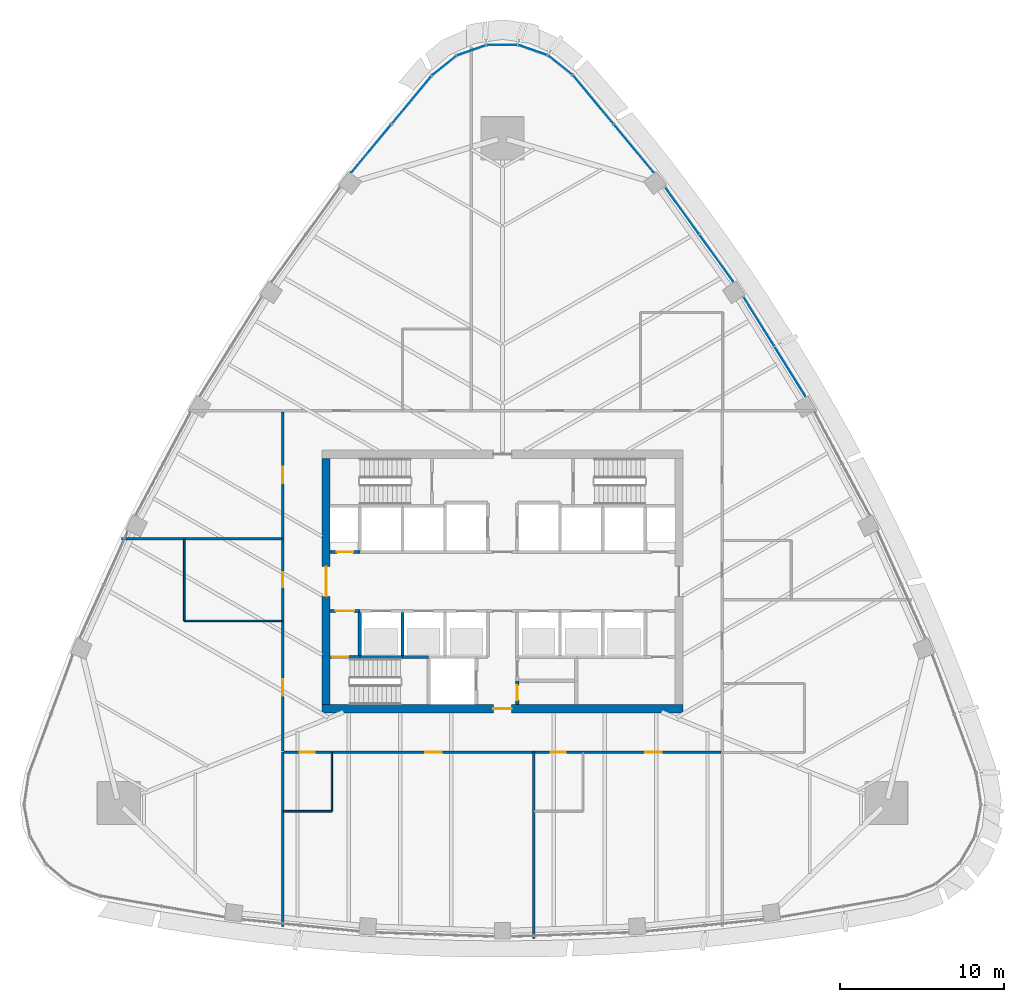
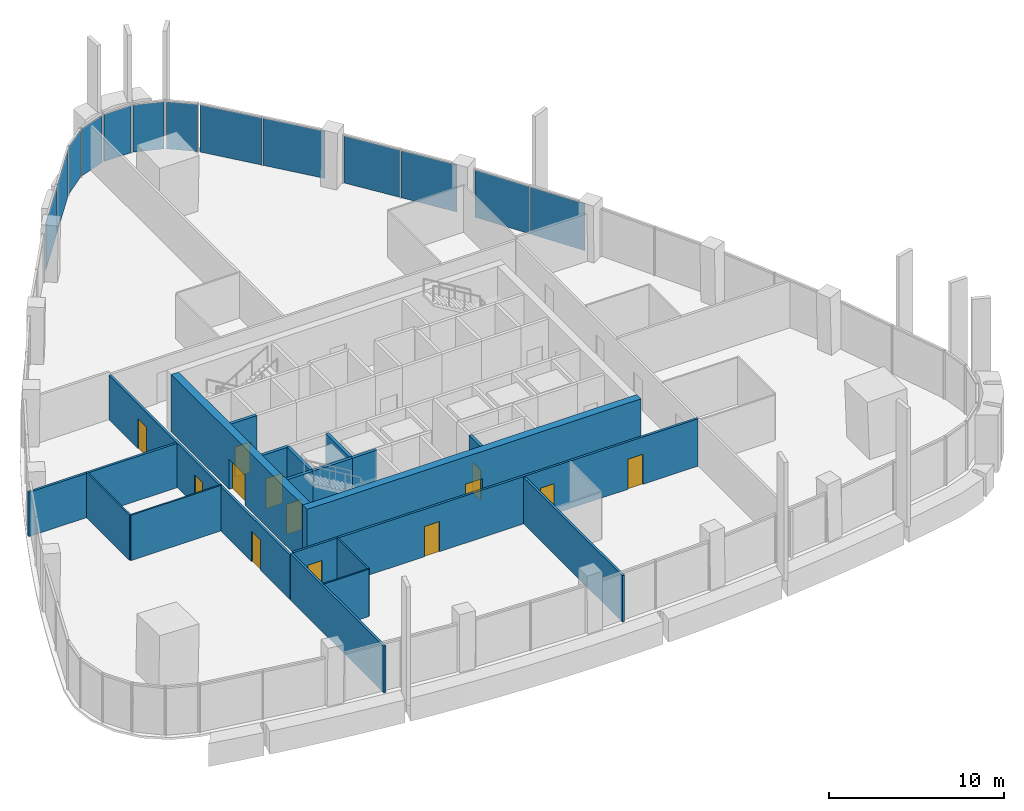
# One storey, part 9 of 19: 19 walls, 13 doors, 13 plates, 13 openings, 9 elements without a shape of their own.
"""IFC4 building model written with IfcOpenShell, lengths in metres."""

import ifcopenshell
import ifcopenshell.guid

model = None  # the IFC model being written
_history = None  # IfcOwnerHistory: only IFC2X3 demands one
_inside = {}  # id of a spatial element -> (the spatial element, [elements in it])
_under = {}  # id of a project, library or spatial element -> (it, [spatial elements below it])
_declared = {}  # id of a project -> (the project, [libraries it declares])
_typed = {}  # id of a type object -> (the type object, [elements of that type])
_made_of = {}  # id of a material, layer set ... -> (it, [elements and type objects made of it])


def new_model(schema):
    """Start an empty IFC model of exactly this schema.

    Asked for "IFC4X3", IfcOpenShell would pick the latest addendum, in which some entities
    have other attributes; the version numbers below select the first issue.
    IFC2X3 requires an IfcOwnerHistory on every rooted entity: one is made here for all.
    """
    global model, _history
    if schema == "IFC4X3":
        model = ifcopenshell.file(schema_version=(4, 3, 0, 0))
    else:
        model = ifcopenshell.file(schema=schema)
    _inside.clear()
    _under.clear()
    _declared.clear()
    _typed.clear()
    _made_of.clear()
    _history = None
    if model.schema == "IFC2X3":
        org = make("IfcOrganization", Name="unknown")
        user = make(
            "IfcPersonAndOrganization",
            ThePerson=make("IfcPerson", FamilyName="unknown"),
            TheOrganization=org,
        )
        app = make(
            "IfcApplication",
            ApplicationDeveloper=org,
            Version="unknown",
            ApplicationFullName="unknown",
            ApplicationIdentifier="unknown",
        )
        _history = make(
            "IfcOwnerHistory",
            OwningUser=user,
            OwningApplication=app,
            ChangeAction="ADDED",
            CreationDate=0,
        )
    return model


def make(cls, **values):
    """One entity of the class cls with the attributes given. An attribute that is None is left unset."""
    return model.create_entity(
        cls, **{name: value for name, value in values.items() if value is not None}
    )


def rooted(cls, **values):
    """An entity with a GlobalId (a new one), such as an element, a storey or a relation."""
    return make(cls, GlobalId=ifcopenshell.guid.new(), OwnerHistory=_history, **values)


def si_unit(unit_type, name, prefix=None):
    """IfcSIUnit, for example si_unit("LENGTHUNIT", "METRE", prefix="MILLI")."""
    return make("IfcSIUnit", UnitType=unit_type, Prefix=prefix, Name=name)


def assignment(units):
    """IfcUnitAssignment: the units of a project."""
    return None if units is None else make("IfcUnitAssignment", Units=units)


def point(xyz):
    """IfcCartesianPoint."""
    return None if xyz is None else make("IfcCartesianPoint", Coordinates=xyz)


def direction(xyz):
    """IfcDirection."""
    return None if xyz is None else make("IfcDirection", DirectionRatios=xyz)


def frame(location, z_axis=None, x_axis=None):
    """IfcAxis2Placement3D, a coordinate frame: its origin and axes. An axis left out is left unset."""
    return make(
        "IfcAxis2Placement3D",
        Location=point(location),
        Axis=direction(z_axis),
        RefDirection=direction(x_axis),
    )


def frame_2d(location, x_axis=None):
    """IfcAxis2Placement2D, a coordinate frame in the plane: its origin and x axis."""
    return make(
        "IfcAxis2Placement2D", Location=point(location), RefDirection=direction(x_axis)
    )


def origin():
    """The frame at (0, 0, 0) with its axes left unset."""
    return frame((0.0, 0.0, 0.0))


def origin_2d():
    """The frame at (0, 0) in the plane with its x axis left unset."""
    return frame_2d((0.0, 0.0))


def place(relative_to, where):
    """IfcLocalPlacement: puts the frame where relative to a parent placement (None: the world)."""
    return make(
        "IfcLocalPlacement", PlacementRelTo=relative_to, RelativePlacement=where
    )


def context(
    kind, dimensions, precision=None, world=None, true_north=None, identifier=None
):
    """IfcGeometricRepresentationContext, for example the 3D "Model" context."""
    return make(
        "IfcGeometricRepresentationContext",
        ContextIdentifier=identifier,
        ContextType=kind,
        CoordinateSpaceDimension=dimensions,
        Precision=precision,
        WorldCoordinateSystem=world,
        TrueNorth=true_north,
    )


def subcontext(parent, identifier, kind, view, scale=None):
    """IfcGeometricRepresentationSubContext, for example "Body" below "Model"."""
    return make(
        "IfcGeometricRepresentationSubContext",
        ContextIdentifier=identifier,
        ContextType=kind,
        ParentContext=parent,
        TargetScale=scale,
        TargetView=view,
    )


def project(units=None, contexts=None):
    """IfcProject with its units and contexts."""
    return rooted(
        "IfcProject",
        Name="project",
        RepresentationContexts=contexts,
        UnitsInContext=assignment(units),
    )


def spatial(cls, under=None, at=None, **own):
    """A site, building, storey or space (cls), placed at a placement, below another one or the project."""
    s = rooted(cls, ObjectPlacement=at, **own)
    if under is not None:
        _under.setdefault(under.id(), (under, []))[1].append(s)
    return s


def profile(cls, at=None, kind="AREA", **sizes):
    """A parametric profile (cls). Its sizes go by their IFC names, for example OverallWidth=200.0."""
    return make(cls, ProfileType=kind, Position=at, **sizes)


def rectangle(**sizes):
    """IfcRectangleProfileDef."""
    return profile("IfcRectangleProfileDef", **sizes)


def extrude(swept, where, along, depth):
    """IfcExtrudedAreaSolid: the profile swept, set in the frame where, extruded along a direction by depth."""
    return make(
        "IfcExtrudedAreaSolid",
        SweptArea=swept,
        Position=where,
        ExtrudedDirection=direction(along),
        Depth=depth,
    )


def shape(context_of_items, identifier, shape_type, items):
    """IfcShapeRepresentation: the items that make up one representation, for example the "Body"."""
    return make(
        "IfcShapeRepresentation",
        ContextOfItems=context_of_items,
        RepresentationIdentifier=identifier,
        RepresentationType=shape_type,
        Items=items,
    )


def material(Name=None, Category=None):
    """IfcMaterial."""
    return make("IfcMaterial", Name=Name, Category=Category)


def layer(
    of_material, thickness, ventilated=None, Name=None, Category=None, Priority=None
):
    """IfcMaterialLayer: one layer of a wall or slab, of a material (None: an air gap)."""
    return make(
        "IfcMaterialLayer",
        Material=of_material,
        LayerThickness=thickness,
        IsVentilated=ventilated,
        Name=Name,
        Category=Category,
        Priority=Priority,
    )


def layer_set(layers, Name=None):
    """IfcMaterialLayerSet."""
    return make("IfcMaterialLayerSet", MaterialLayers=layers, LayerSetName=Name)


def made_of(thing, what):
    """Note that an element or type object is made of a material, layer set ...; save() writes the relation."""
    if what is not None:
        _made_of.setdefault(what.id(), (what, []))[1].append(thing)
    return thing


def type_object(cls, material=None, **own):
    """A type object (cls), such as IfcWallType, which elements share."""
    return made_of(rooted(cls, **own), material)


def element(
    cls,
    number,
    at=None,
    inside=None,
    cuts=None,
    type_object=None,
    material=None,
    context=None,
    identifier="Body",
    shape_type=None,
    held_by="IfcProductDefinitionShape",
    body=None,
    shapes=None,
    **own,
):
    """One element of the class cls, such as IfcWall. Its Tag is "e" and its number.

    at: its placement. inside: the storey or other place that contains it. cuts: it is an
    opening in that element (IfcRelVoidsElement). A single representation is given by context,
    identifier, shape_type and body (its items); several are given by shapes. held_by: the class
    of the entity that holds the representations. save() writes the other relations.
    """
    e = rooted(cls, Tag="e%d" % number, ObjectPlacement=at, **own)
    if body is not None:
        shapes = [shape(context, identifier, shape_type, body)]
    if shapes is not None:
        e.Representation = make(held_by, Representations=shapes)
    if inside is not None:
        _inside.setdefault(inside.id(), (inside, []))[1].append(e)
    if cuts is not None:
        rooted(
            "IfcRelVoidsElement", RelatingBuildingElement=cuts, RelatedOpeningElement=e
        )
    if type_object is not None:
        _typed.setdefault(type_object.id(), (type_object, []))[1].append(e)
    return made_of(e, material)


def fill(opening, filler):
    """IfcRelFillsElement: the door or window that sits in an opening."""
    return rooted(
        "IfcRelFillsElement",
        RelatingOpeningElement=opening,
        RelatedBuildingElement=filler,
    )


def aggregate(whole, parts):
    """IfcRelAggregates: a whole, such as a stair, and the parts it consists of."""
    return rooted("IfcRelAggregates", RelatingObject=whole, RelatedObjects=parts)


def save(model, path):
    """Write the relations noted so far, then the file.

    IfcRelAggregates (storeys below a building ...), IfcRelContainedInSpatialStructure (elements
    in a storey), IfcRelDefinesByType, IfcRelAssociatesMaterial and IfcRelDeclares: one each for
    every whole, place, type object, material and project.
    """
    for whole, parts in _under.values():
        aggregate(whole, parts)
    for where, things in _inside.values():
        rooted(
            "IfcRelContainedInSpatialStructure",
            RelatedElements=things,
            RelatingStructure=where,
        )
    for kind, things in _typed.values():
        rooted("IfcRelDefinesByType", RelatedObjects=things, RelatingType=kind)
    for what, things in _made_of.values():
        rooted("IfcRelAssociatesMaterial", RelatedObjects=things, RelatingMaterial=what)
    for by, libraries in _declared.values():
        rooted("IfcRelDeclares", RelatingContext=by, RelatedDefinitions=libraries)
    model.write(path)


model = new_model("IFC4")

# Units and contexts
model_context = context("Model", 3, precision=1e-05, world=origin(), true_north=direction((0.0, 1.0)))
body_context = subcontext(model_context, "Body", "Model", "MODEL_VIEW")
ifc_project = project(units=[si_unit("LENGTHUNIT", "METRE"), si_unit("AREAUNIT", "SQUARE_METRE"), si_unit("VOLUMEUNIT", "CUBIC_METRE"), si_unit("PLANEANGLEUNIT", "RADIAN"), si_unit("MASSUNIT", "GRAM", prefix="KILO")], contexts=[model_context])

# Site, building, storey
site_placement = place(None, origin())
site = spatial("IfcSite", under=ifc_project, at=site_placement, CompositionType="ELEMENT")
building_placement = place(site_placement, origin())
building = spatial("IfcBuilding", under=site, at=building_placement, Name="Sierra Prisma Convention Tower", CompositionType="ELEMENT")
storey_placement = place(building_placement, frame((0.0, 0.0, 185.800048828125)))
storey = spatial("IfcBuildingStorey", under=building, at=storey_placement, Name="L41", CompositionType="ELEMENT", Elevation=185.800048828125)

# Curtain wall, plates
ifc_material_1 = material(Name="Aluminium and glass curtain wall", Category="aluminium")
ifc_layer_1 = layer(ifc_material_1, 0.179931640625)
ifc_layer_set_1 = layer_set([ifc_layer_1], Name="CW-1 Plain shaft curtain wall")
curtain_wall_type = type_object("IfcCurtainWallType", Name="CW-1 Plain shaft curtain wall", PredefinedType="NOTDEFINED", material=ifc_layer_set_1)
curtain_wall_1_placement = place(storey_placement, origin())
curtain_wall_1 = element("IfcCurtainWall", 1, at=curtain_wall_1_placement, inside=storey, type_object=curtain_wall_type, Name="CW-1 NE4 L41", PredefinedType="NOTDEFINED")
ifc_material_2 = material(Name="Tinted glass bronze-grey IGU", Category="glass")
ifc_layer_2 = layer(ifc_material_2, 0.028076171875)
ifc_layer_set_2 = layer_set([ifc_layer_2], Name="CW-1 glass panel")
plate_type = type_object("IfcPlateType", Name="CW-1 glass panel", PredefinedType="CURTAIN_PANEL", material=ifc_layer_set_2)
plate_1_placement = place(storey_placement, frame((17.519287109375, 12.798583984375, 0.0), z_axis=(0.0, 0.0, 1.0), x_axis=(-0.529000473155, 0.848621528952, 0.0)))
plate_1 = element("IfcPlate", 2, at=plate_1_placement, type_object=plate_type, Name="CW-1 panel NE4.1", PredefinedType="CURTAIN_PANEL", context=body_context, shape_type="SweptSolid", body=[
    extrude(rectangle(XDim=3.51123046875, YDim=0.028076171875, at=origin_2d()), origin(), (0.0, 0.0, 1.0), 3.280029296875),
])
plate_2_placement = place(storey_placement, frame((15.624755859375, 15.837890625, 0.0), z_axis=(0.0, 0.0, 1.0), x_axis=(-0.529000473155, 0.848621528952, 0.0)))
plate_2 = element("IfcPlate", 3, at=plate_2_placement, type_object=plate_type, Name="CW-1 panel NE4.2", PredefinedType="CURTAIN_PANEL", context=body_context, shape_type="SweptSolid", body=[
    extrude(rectangle(XDim=3.51123046875, YDim=0.028076171875, at=origin_2d()), origin(), (0.0, 0.0, 1.0), 3.280029296875),
])
aggregate(curtain_wall_1, [plate_1, plate_2])

curtain_wall_2_placement = place(storey_placement, origin())
curtain_wall_2 = element("IfcCurtainWall", 4, at=curtain_wall_2_placement, inside=storey, type_object=curtain_wall_type, Name="CW-1 NE5 L41", PredefinedType="NOTDEFINED")
plate_3_placement = place(storey_placement, frame((13.031494140625, 19.701416015625, 0.0), z_axis=(0.0, 0.0, 1.0), x_axis=(-0.585153531089, 0.810922527159, 0.0)))
plate_3 = element("IfcPlate", 5, at=plate_3_placement, type_object=plate_type, Name="CW-1 panel NE5.1", PredefinedType="CURTAIN_PANEL", context=body_context, shape_type="SweptSolid", body=[
    extrude(rectangle(XDim=3.49609375, YDim=0.028076171875, at=origin_2d()), origin(), (0.0, 0.0, 1.0), 3.280029296875),
])
plate_4_placement = place(storey_placement, frame((10.94482421875, 22.59326171875, 0.0), z_axis=(0.0, 0.0, 1.0), x_axis=(-0.585153531089, 0.810922527159, 0.0)))
plate_4 = element("IfcPlate", 6, at=plate_4_placement, type_object=plate_type, Name="CW-1 panel NE5.2", PredefinedType="CURTAIN_PANEL", context=body_context, shape_type="SweptSolid", body=[
    extrude(rectangle(XDim=3.49609375, YDim=0.028076171875, at=origin_2d()), origin(), (0.0, 0.0, 1.0), 3.280029296875),
])
aggregate(curtain_wall_2, [plate_3, plate_4])

curtain_wall_3_placement = place(storey_placement, origin())
curtain_wall_3 = element("IfcCurtainWall", 7, at=curtain_wall_3_placement, inside=storey, type_object=curtain_wall_type, Name="CW-1 NE6 L41", PredefinedType="NOTDEFINED")
plate_5_placement = place(storey_placement, frame((7.996337890625, 26.39599609375, 0.0), z_axis=(0.0, 0.0, 1.0), x_axis=(-0.638629874031, 0.769514057048, 0.0)))
plate_5 = element("IfcPlate", 8, at=plate_5_placement, type_object=plate_type, Name="CW-1 panel NE6.1", PredefinedType="CURTAIN_PANEL", context=body_context, shape_type="SweptSolid", body=[
    extrude(rectangle(XDim=3.767333984375, YDim=0.028076171875, at=origin_2d()), origin(), (0.0, 0.0, 1.0), 3.280029296875),
])
plate_6_placement = place(storey_placement, frame((5.545654296875, 29.348876953125, 0.0), z_axis=(0.0, 0.0, 1.0), x_axis=(-0.638629874031, 0.769514057048, 0.0)))
plate_6 = element("IfcPlate", 9, at=plate_6_placement, type_object=plate_type, Name="CW-1 panel NE6.2", PredefinedType="CURTAIN_PANEL", context=body_context, shape_type="SweptSolid", body=[
    extrude(rectangle(XDim=3.767333984375, YDim=0.028076171875, at=origin_2d()), origin(), (0.0, 0.0, 1.0), 3.280029296875),
])
aggregate(curtain_wall_3, [plate_5, plate_6])

# Curtain wall, plate
curtain_wall_4_placement = place(storey_placement, origin())
curtain_wall_4 = element("IfcCurtainWall", 10, at=curtain_wall_4_placement, inside=storey, type_object=curtain_wall_type, Name="CW-1 N1 L41", PredefinedType="NOTDEFINED")
plate_7_placement = place(storey_placement, frame((3.5439453125, 31.456298828125, 0.0), z_axis=(0.0, 0.0, 1.0), x_axis=(-0.780453751234, 0.625213517277, 0.0)))
plate_7 = element("IfcPlate", 11, at=plate_7_placement, type_object=plate_type, Name="CW-1 panel N1.1", PredefinedType="CURTAIN_PANEL", context=body_context, shape_type="SweptSolid", body=[
    extrude(rectangle(XDim=1.79248046875, YDim=0.028076171875, at=origin_2d()), origin(), (0.0, 0.0, 1.0), 3.280029296875),
])
aggregate(curtain_wall_4, [plate_7])

curtain_wall_5_placement = place(storey_placement, origin())
curtain_wall_5 = element("IfcCurtainWall", 12, at=curtain_wall_5_placement, inside=storey, type_object=curtain_wall_type, Name="CW-1 N2 L41", PredefinedType="NOTDEFINED")
plate_8_placement = place(storey_placement, frame((1.8779296875, 32.380615234375, 0.0), z_axis=(0.0, 0.0, 1.0), x_axis=(-0.94351834938, 0.331320274633, 0.0)))
plate_8 = element("IfcPlate", 13, at=plate_8_placement, type_object=plate_type, Name="CW-1 panel N2.1", PredefinedType="CURTAIN_PANEL", context=body_context, shape_type="SweptSolid", body=[
    extrude(rectangle(XDim=1.79248046875, YDim=0.028076171875, at=origin_2d()), origin(), (0.0, 0.0, 1.0), 3.280029296875),
])
aggregate(curtain_wall_5, [plate_8])

curtain_wall_6_placement = place(storey_placement, origin())
curtain_wall_6 = element("IfcCurtainWall", 14, at=curtain_wall_6_placement, inside=storey, type_object=curtain_wall_type, Name="CW-1 N3 L41", PredefinedType="NOTDEFINED")
plate_9_placement = place(storey_placement, frame((0.0, 32.700927734375, 0.0), z_axis=(0.0, 0.0, 1.0), x_axis=(-1.0, 0.0, 0.0)))
plate_9 = element("IfcPlate", 15, at=plate_9_placement, type_object=plate_type, Name="CW-1 panel N3.1", PredefinedType="CURTAIN_PANEL", context=body_context, shape_type="SweptSolid", body=[
    extrude(rectangle(XDim=1.79248046875, YDim=0.028076171875, at=origin_2d()), origin(), (0.0, 0.0, 1.0), 3.280029296875),
])
aggregate(curtain_wall_6, [plate_9])

curtain_wall_7_placement = place(storey_placement, origin())
curtain_wall_7 = element("IfcCurtainWall", 16, at=curtain_wall_7_placement, inside=storey, type_object=curtain_wall_type, Name="CW-1 N4 L41", PredefinedType="NOTDEFINED")
plate_10_placement = place(storey_placement, frame((-1.8779296875, 32.380615234375, 0.0), z_axis=(0.0, 0.0, 1.0), x_axis=(-0.94351834938, -0.331320274633, 0.0)))
plate_10 = element("IfcPlate", 17, at=plate_10_placement, type_object=plate_type, Name="CW-1 panel N4.1", PredefinedType="CURTAIN_PANEL", context=body_context, shape_type="SweptSolid", body=[
    extrude(rectangle(XDim=1.79248046875, YDim=0.028076171875, at=origin_2d()), origin(), (0.0, 0.0, 1.0), 3.280029296875),
])
aggregate(curtain_wall_7, [plate_10])

curtain_wall_8_placement = place(storey_placement, origin())
curtain_wall_8 = element("IfcCurtainWall", 18, at=curtain_wall_8_placement, inside=storey, type_object=curtain_wall_type, Name="CW-1 N5 L41", PredefinedType="NOTDEFINED")
plate_11_placement = place(storey_placement, frame((-3.5439453125, 31.456298828125, 0.0), z_axis=(0.0, 0.0, 1.0), x_axis=(-0.780453751234, -0.625213517277, 0.0)))
plate_11 = element("IfcPlate", 19, at=plate_11_placement, type_object=plate_type, Name="CW-1 panel N5.1", PredefinedType="CURTAIN_PANEL", context=body_context, shape_type="SweptSolid", body=[
    extrude(rectangle(XDim=1.79248046875, YDim=0.028076171875, at=origin_2d()), origin(), (0.0, 0.0, 1.0), 3.280029296875),
])
aggregate(curtain_wall_8, [plate_11])

# Curtain wall, plates
curtain_wall_9_placement = place(storey_placement, origin())
curtain_wall_9 = element("IfcCurtainWall", 20, at=curtain_wall_9_placement, inside=storey, type_object=curtain_wall_type, Name="CW-1 NW1 L41", PredefinedType="NOTDEFINED")
plate_12_placement = place(storey_placement, frame((-5.545654296875, 29.348876953125, 0.0), z_axis=(0.0, 0.0, 1.0), x_axis=(-0.638629874031, -0.769514057048, 0.0)))
plate_12 = element("IfcPlate", 21, at=plate_12_placement, type_object=plate_type, Name="CW-1 panel NW1.1", PredefinedType="CURTAIN_PANEL", context=body_context, shape_type="SweptSolid", body=[
    extrude(rectangle(XDim=3.767333984375, YDim=0.028076171875, at=origin_2d()), origin(), (0.0, 0.0, 1.0), 3.280029296875),
])
plate_13_placement = place(storey_placement, frame((-7.996337890625, 26.39599609375, 0.0), z_axis=(0.0, 0.0, 1.0), x_axis=(-0.638629874031, -0.769514057048, 0.0)))
plate_13 = element("IfcPlate", 22, at=plate_13_placement, type_object=plate_type, Name="CW-1 panel NW1.2", PredefinedType="CURTAIN_PANEL", context=body_context, shape_type="SweptSolid", body=[
    extrude(rectangle(XDim=3.767333984375, YDim=0.028076171875, at=origin_2d()), origin(), (0.0, 0.0, 1.0), 3.280029296875),
])
aggregate(curtain_wall_9, [plate_12, plate_13])

# Walls
ifc_material_3 = material(Name="Gypsum board partition", Category="gypsum")
ifc_layer_3 = layer(ifc_material_3, 0.10009765625)
ifc_layer_set_3 = layer_set([ifc_layer_3], Name="Bathroom partition 100")
wall_type_1 = type_object("IfcWallType", Name="Bathroom partition 100", PredefinedType="PARTITIONING", material=ifc_layer_set_3)
wall_1_placement = place(storey_placement, frame((-13.429931640625, -2.39990234375, 0.0), z_axis=(0.0, 0.0, 1.0), x_axis=(-1.0, 0.0, 0.0)))
element("IfcWall", 23, at=wall_1_placement, inside=storey, type_object=wall_type_1, Name="Partition L41 bath 1", PredefinedType="PARTITIONING", context=body_context, shape_type="SweptSolid", body=[
    extrude(rectangle(XDim=5.969970703125, YDim=0.10009765625, at=frame_2d((2.98486328125, 0.0))), origin(), (0.0, 0.0, 1.0), 3.1669921875),
])
wall_2_placement = place(storey_placement, frame((-19.39990234375, -2.39990234375, 0.0), z_axis=(0.0, 0.0, 1.0), x_axis=(0.0, 1.0, 0.0)))
element("IfcWall", 24, at=wall_2_placement, inside=storey, type_object=wall_type_1, Name="Partition L41 bath 2", PredefinedType="PARTITIONING", context=body_context, shape_type="SweptSolid", body=[
    extrude(rectangle(XDim=4.969970703125, YDim=0.10009765625, at=frame_2d((2.48486328125, 0.0))), origin(), (0.0, 0.0, 1.0), 3.1669921875),
])
wall_3_placement = place(storey_placement, frame((-10.39990234375, -10.429931640625, 0.0), z_axis=(0.0, 0.0, 1.0), x_axis=(0.0, -1.0, 0.0)))
element("IfcWall", 25, at=wall_3_placement, inside=storey, type_object=wall_type_1, Name="Partition L41 bath 3", PredefinedType="PARTITIONING", context=body_context, shape_type="SweptSolid", body=[
    extrude(rectangle(XDim=3.570068359375, YDim=0.10009765625, at=frame_2d((1.78515625, 0.0))), origin(), (0.0, 0.0, 1.0), 3.300048828125),
])
wall_4_placement = place(storey_placement, frame((-10.39990234375, -14.0, 0.0), z_axis=(0.0, 0.0, 1.0), x_axis=(-1.0, 0.0, 0.0)))
element("IfcWall", 26, at=wall_4_placement, inside=storey, type_object=wall_type_1, Name="Partition L41 bath 4", PredefinedType="PARTITIONING", context=body_context, shape_type="SweptSolid", body=[
    extrude(rectangle(XDim=2.97021484375, YDim=0.10009765625, at=frame_2d((1.485107421875, 0.0))), origin(), (0.0, 0.0, 1.0), 3.300048828125),
])

# Wall, opening, door
ifc_material_4 = material(Name="Concrete C30/37", Category="concrete")
ifc_layer_4 = layer(ifc_material_4, 0.199951171875)
ifc_layer_set_4 = layer_set([ifc_layer_4], Name="Core wall RC 200 C30/37")
wall_type_2 = type_object("IfcWallType", Name="Core wall RC 200 C30/37", PredefinedType="SOLIDWALL", material=ifc_layer_set_4)
wall_5_placement = place(storey_placement, frame((-10.5, -4.60009765625, 0.0), z_axis=(0.0, 0.0, 1.0), x_axis=(1.0, 0.0, 0.0)))
wall_5 = element("IfcWall", 27, at=wall_5_placement, inside=storey, type_object=wall_type_2, Name="Core wall L41 1", PredefinedType="SOLIDWALL", context=body_context, shape_type="SweptSolid", body=[
    extrude(rectangle(XDim=1.800048828125, YDim=0.199951171875, at=frame_2d((0.89990234375, 0.0))), origin(), (0.0, 0.0, 1.0), 3.849853515625),
])
opening_1_placement = place(wall_5_placement, frame((0.10009765625, 0.0, 0.0)))
opening_1 = element("IfcOpeningElement", 28, at=opening_1_placement, cuts=wall_5, Name="Opening L41-D015", PredefinedType="OPENING", context=body_context, shape_type="SweptSolid", body=[
    extrude(rectangle(XDim=1.0, YDim=2.10009765625, at=frame_2d((0.5, 1.050048828125))), frame((0.0, 0.10009765625, 0.0), z_axis=(0.0, -1.0, 0.0), x_axis=(1.0, 0.0, 0.0)), (0.0, 0.0, 1.0), 0.199951171875),
])
ifc_material_5 = material(Name="Steel fire door leaf", Category="steel")
door_type_1 = type_object("IfcDoorType", Name="Door 1000x2100 FD90S", OperationType="SINGLE_SWING_LEFT", PredefinedType="DOOR", material=ifc_material_5)
door_1_placement = place(opening_1_placement, origin())
door_1 = element("IfcDoor", 29, at=door_1_placement, inside=storey, type_object=door_type_1, Name="Door L41 30", OperationType="SINGLE_SWING_LEFT", OverallHeight=2.10009765625, OverallWidth=1.0, PredefinedType="DOOR", context=body_context, shape_type="SweptSolid", body=[
    extrude(rectangle(XDim=1.0, YDim=2.10009765625, at=frame_2d((0.5, 1.050048828125))), frame((0.0, 0.02490234375, 0.0), z_axis=(0.0, -1.0, 0.0), x_axis=(1.0, 0.0, 0.0)), (0.0, 0.0, 1.0), 0.050048828125),
])
fill(opening_1, door_1)

wall_6_placement = place(storey_placement, frame((-10.5, -1.800048828125, 0.0), z_axis=(0.0, 0.0, 1.0), x_axis=(1.0, 0.0, 0.0)))
wall_6 = element("IfcWall", 30, at=wall_6_placement, inside=storey, type_object=wall_type_2, Name="Core wall L41 2", PredefinedType="SOLIDWALL", context=body_context, shape_type="SweptSolid", body=[
    extrude(rectangle(XDim=1.800048828125, YDim=0.199951171875, at=frame_2d((0.89990234375, 0.0))), origin(), (0.0, 0.0, 1.0), 3.849853515625),
])
opening_2_placement = place(wall_6_placement, frame((0.35009765625, 0.0, 0.0)))
opening_2 = element("IfcOpeningElement", 31, at=opening_2_placement, cuts=wall_6, Name="Opening L41-D010", PredefinedType="OPENING", context=body_context, shape_type="SweptSolid", body=[
    extrude(rectangle(XDim=1.10009765625, YDim=2.10009765625, at=frame_2d((0.550048828125, 1.050048828125))), frame((0.0, 0.10009765625, 0.0), z_axis=(0.0, -1.0, 0.0), x_axis=(1.0, 0.0, 0.0)), (0.0, 0.0, 1.0), 0.199951171875),
])
ifc_material_6 = material(Name="Steel fire door leaf", Category="steel")
door_type_2 = type_object("IfcDoorType", Name="Door 1100x2100 FD90S", OperationType="SINGLE_SWING_LEFT", PredefinedType="DOOR", material=ifc_material_6)
door_2_placement = place(opening_2_placement, origin())
door_2 = element("IfcDoor", 32, at=door_2_placement, inside=storey, type_object=door_type_2, Name="Door L41 25", OperationType="SINGLE_SWING_LEFT", OverallHeight=2.10009765625, OverallWidth=1.10009765625, PredefinedType="DOOR", context=body_context, shape_type="SweptSolid", body=[
    extrude(rectangle(XDim=1.10009765625, YDim=2.10009765625, at=frame_2d((0.550048828125, 1.050048828125))), frame((0.0, 0.02490234375, 0.0), z_axis=(0.0, -1.0, 0.0), x_axis=(1.0, 0.0, 0.0)), (0.0, 0.0, 1.0), 0.050048828125),
])
fill(opening_2, door_2)

wall_7_placement = place(storey_placement, frame((-8.699951171875, 1.800048828125, 0.0), z_axis=(0.0, 0.0, 1.0), x_axis=(-1.0, 0.0, 0.0)))
wall_7 = element("IfcWall", 33, at=wall_7_placement, inside=storey, type_object=wall_type_2, Name="Core wall L41 3", PredefinedType="SOLIDWALL", context=body_context, shape_type="SweptSolid", body=[
    extrude(rectangle(XDim=1.800048828125, YDim=0.199951171875, at=frame_2d((0.89990234375, 0.0))), origin(), (0.0, 0.0, 1.0), 3.849853515625),
])
opening_3_placement = place(wall_7_placement, frame((0.39990234375, 0.0, 0.0)))
opening_3 = element("IfcOpeningElement", 34, at=opening_3_placement, cuts=wall_7, Name="Opening L41-D013", PredefinedType="OPENING", context=body_context, shape_type="SweptSolid", body=[
    extrude(rectangle(XDim=1.0, YDim=2.10009765625, at=frame_2d((0.5, 1.050048828125))), frame((0.0, 0.10009765625, 0.0), z_axis=(0.0, -1.0, 0.0), x_axis=(1.0, 0.0, 0.0)), (0.0, 0.0, 1.0), 0.199951171875),
])
ifc_material_7 = material(Name="Steel fire door leaf", Category="steel")
door_type_3 = type_object("IfcDoorType", Name="Door 1000x2100 FD60S", OperationType="SINGLE_SWING_LEFT", PredefinedType="DOOR", material=ifc_material_7)
door_3_placement = place(opening_3_placement, origin())
door_3 = element("IfcDoor", 35, at=door_3_placement, inside=storey, type_object=door_type_3, Name="Door L41 28", OperationType="SINGLE_SWING_RIGHT", OverallHeight=2.10009765625, OverallWidth=1.0, PredefinedType="DOOR", context=body_context, shape_type="SweptSolid", body=[
    extrude(rectangle(XDim=1.0, YDim=2.10009765625, at=frame_2d((0.5, 1.050048828125))), frame((0.0, 0.02490234375, 0.0), z_axis=(0.0, -1.0, 0.0), x_axis=(1.0, 0.0, 0.0)), (0.0, 0.0, 1.0), 0.050048828125),
])
fill(opening_3, door_3)

# Walls
wall_8_placement = place(storey_placement, frame((-8.699951171875, -4.60009765625, 0.0), z_axis=(0.0, 0.0, 1.0), x_axis=(1.0, 0.0, 0.0)))
element("IfcWall", 36, at=wall_8_placement, inside=storey, type_object=wall_type_2, Name="Core wall L41 5", PredefinedType="SOLIDWALL", context=body_context, shape_type="SweptSolid", body=[
    extrude(rectangle(XDim=2.599853515625, YDim=0.199951171875, at=frame_2d((1.2998046875, 0.0))), origin(), (0.0, 0.0, 1.0), 3.849853515625),
])
wall_9_placement = place(storey_placement, frame((-8.699951171875, -4.60009765625, 0.0), z_axis=(0.0, 0.0, 1.0), x_axis=(0.0, 1.0, 0.0)))
element("IfcWall", 37, at=wall_9_placement, inside=storey, type_object=wall_type_2, Name="Core wall L41 6", PredefinedType="SOLIDWALL", context=body_context, shape_type="SweptSolid", body=[
    extrude(rectangle(XDim=2.800048828125, YDim=0.199951171875, at=frame_2d((1.39990234375, 0.0))), origin(), (0.0, 0.0, 1.0), 3.849853515625),
])
wall_10_placement = place(storey_placement, frame((-6.10009765625, -4.60009765625, 0.0), z_axis=(0.0, 0.0, 1.0), x_axis=(1.0, 0.0, 0.0)))
element("IfcWall", 38, at=wall_10_placement, inside=storey, type_object=wall_type_2, Name="Core wall L41 11", PredefinedType="SOLIDWALL", context=body_context, shape_type="SweptSolid", body=[
    extrude(rectangle(XDim=1.60009765625, YDim=0.199951171875, at=frame_2d((0.800048828125, 0.0))), origin(), (0.0, 0.0, 1.0), 3.849853515625),
])
wall_11_placement = place(storey_placement, frame((-6.10009765625, -4.60009765625, 0.0), z_axis=(0.0, 0.0, 1.0), x_axis=(0.0, 1.0, 0.0)))
element("IfcWall", 39, at=wall_11_placement, inside=storey, type_object=wall_type_2, Name="Core wall L41 12", PredefinedType="SOLIDWALL", context=body_context, shape_type="SweptSolid", body=[
    extrude(rectangle(XDim=2.800048828125, YDim=0.199951171875, at=frame_2d((1.39990234375, 0.0))), origin(), (0.0, 0.0, 1.0), 3.849853515625),
])

# Wall, opening, door
wall_12_placement = place(storey_placement, frame((0.89990234375, -6.050048828125, 0.0), z_axis=(0.0, 0.0, 1.0), x_axis=(0.0, -1.0, 0.0)))
wall_12 = element("IfcWall", 40, at=wall_12_placement, inside=storey, type_object=wall_type_2, Name="Core wall L41 34", PredefinedType="SOLIDWALL", context=body_context, shape_type="SweptSolid", body=[
    extrude(rectangle(XDim=1.449951171875, YDim=0.199951171875, at=frame_2d((0.72509765625, 0.0))), origin(), (0.0, 0.0, 1.0), 3.849853515625),
])
opening_4_placement = place(wall_12_placement, frame((0.27490234375, 0.0, 0.0)))
opening_4 = element("IfcOpeningElement", 41, at=opening_4_placement, cuts=wall_12, Name="Opening L41-D020", PredefinedType="OPENING", context=body_context, shape_type="SweptSolid", body=[
    extrude(rectangle(XDim=0.89990234375, YDim=2.10009765625, at=frame_2d((0.449951171875, 1.050048828125))), frame((0.0, 0.10009765625, 0.0), z_axis=(0.0, -1.0, 0.0), x_axis=(1.0, 0.0, 0.0)), (0.0, 0.0, 1.0), 0.199951171875),
])
ifc_material_8 = material(Name="Steel fire door leaf", Category="steel")
door_type_4 = type_object("IfcDoorType", Name="Door 900x2100 FD30S", OperationType="SINGLE_SWING_LEFT", PredefinedType="DOOR", material=ifc_material_8)
door_4_placement = place(opening_4_placement, origin())
door_4 = element("IfcDoor", 42, at=door_4_placement, inside=storey, type_object=door_type_4, Name="Door L41 35", OperationType="SINGLE_SWING_LEFT", OverallHeight=2.10009765625, OverallWidth=0.89990234375, PredefinedType="DOOR", context=body_context, shape_type="SweptSolid", body=[
    extrude(rectangle(XDim=0.89990234375, YDim=2.10009765625, at=frame_2d((0.449951171875, 1.050048828125))), frame((0.0, 0.02490234375, 0.0), z_axis=(0.0, -1.0, 0.0), x_axis=(1.0, 0.0, 0.0)), (0.0, 0.0, 1.0), 0.050048828125),
])
fill(opening_4, door_4)

ifc_material_9 = material(Name="Concrete C60/75", Category="concrete")
ifc_layer_5 = layer(ifc_material_9, 0.5)
ifc_layer_set_5 = layer_set([ifc_layer_5], Name="Core wall RC 500 C60/75")
wall_type_3 = type_object("IfcWallType", Name="Core wall RC 500 C60/75", PredefinedType="SHEAR", material=ifc_layer_set_5)
wall_13_placement = place(storey_placement, frame((-11.0, -7.75, 0.0), z_axis=(0.0, 0.0, 1.0), x_axis=(1.0, 0.0, 0.0)))
wall_13 = element("IfcWall", 43, at=wall_13_placement, inside=storey, type_object=wall_type_3, Name="Core wall S L41", PredefinedType="SHEAR", context=body_context, shape_type="SweptSolid", body=[
    extrude(rectangle(XDim=22.0, YDim=0.5, at=frame_2d((11.0, 0.0))), origin(), (0.0, 0.0, 1.0), 4.0),
])
opening_5_placement = place(wall_13_placement, frame((10.449951171875, 0.0, 0.0)))
opening_5 = element("IfcOpeningElement", 44, at=opening_5_placement, cuts=wall_13, Name="Opening L41-D039", PredefinedType="OPENING", context=body_context, shape_type="SweptSolid", body=[
    extrude(rectangle(XDim=1.10009765625, YDim=2.10009765625, at=frame_2d((0.550048828125, 1.050048828125))), frame((0.0, 0.25, 0.0), z_axis=(0.0, -1.0, 0.0), x_axis=(1.0, 0.0, 0.0)), (0.0, 0.0, 1.0), 0.5),
])
ifc_material_10 = material(Name="Steel fire door leaf", Category="steel")
door_type_5 = type_object("IfcDoorType", Name="Door 1100x2100 FD30S", OperationType="SINGLE_SWING_LEFT", PredefinedType="DOOR", material=ifc_material_10)
door_5_placement = place(opening_5_placement, origin())
door_5 = element("IfcDoor", 45, at=door_5_placement, inside=storey, type_object=door_type_5, Name="Door L41 40", OperationType="SINGLE_SWING_RIGHT", OverallHeight=2.10009765625, OverallWidth=1.10009765625, PredefinedType="DOOR", context=body_context, shape_type="SweptSolid", body=[
    extrude(rectangle(XDim=1.10009765625, YDim=2.10009765625, at=frame_2d((0.550048828125, 1.050048828125))), frame((0.0, 0.02490234375, 0.0), z_axis=(0.0, -1.0, 0.0), x_axis=(1.0, 0.0, 0.0)), (0.0, 0.0, 1.0), 0.050048828125),
])
fill(opening_5, door_5)

wall_14_placement = place(storey_placement, frame((-10.75, -7.5, 0.0), z_axis=(0.0, 0.0, 1.0), x_axis=(0.0, 1.0, 0.0)))
wall_14 = element("IfcWall", 46, at=wall_14_placement, inside=storey, type_object=wall_type_3, Name="Core wall W L41", PredefinedType="SHEAR", context=body_context, shape_type="SweptSolid", body=[
    extrude(rectangle(XDim=15.0, YDim=0.5, at=frame_2d((7.5, 0.0))), origin(), (0.0, 0.0, 1.0), 4.0),
])
opening_6_placement = place(wall_14_placement, frame((6.60009765625, 0.0, 0.0)))
opening_6 = element("IfcOpeningElement", 47, at=opening_6_placement, cuts=wall_14, Name="Opening L41-D040", PredefinedType="OPENING", context=body_context, shape_type="SweptSolid", body=[
    extrude(rectangle(XDim=1.800048828125, YDim=2.10009765625, at=frame_2d((0.89990234375, 1.050048828125))), frame((0.0, 0.25, 0.0), z_axis=(0.0, -1.0, 0.0), x_axis=(1.0, 0.0, 0.0)), (0.0, 0.0, 1.0), 0.5),
])
ifc_material_11 = material(Name="Steel fire door leaf", Category="steel")
door_type_6 = type_object("IfcDoorType", Name="Door 1800x2100 FD60S", OperationType="DOUBLE_DOOR_SINGLE_SWING", PredefinedType="DOOR", material=ifc_material_11)
door_6_placement = place(opening_6_placement, origin())
door_6 = element("IfcDoor", 48, at=door_6_placement, inside=storey, type_object=door_type_6, Name="Door L41 37", OperationType="DOUBLE_DOOR_SINGLE_SWING", OverallHeight=2.10009765625, OverallWidth=1.800048828125, PredefinedType="DOOR", context=body_context, shape_type="SweptSolid", body=[
    extrude(rectangle(XDim=1.800048828125, YDim=2.10009765625, at=frame_2d((0.89990234375, 1.050048828125))), frame((0.0, 0.02490234375, 0.0), z_axis=(0.0, -1.0, 0.0), x_axis=(1.0, 0.0, 0.0)), (0.0, 0.0, 1.0), 0.050048828125),
])
fill(opening_6, door_6)

# Wall, openings, doors
ifc_material_12 = material(Name="Gypsum board partition", Category="gypsum")
ifc_layer_6 = layer(ifc_material_12, 0.14990234375)
ifc_layer_set_6 = layer_set([ifc_layer_6], Name="Corridor wall 150 gypsum EI 60")
wall_type_4 = type_object("IfcWallType", Name="Corridor wall 150 gypsum EI 60", PredefinedType="PARTITIONING", material=ifc_layer_set_6)
wall_15_placement = place(storey_placement, frame((-13.39990234375, 10.320068359375, 0.0), z_axis=(0.0, 0.0, 1.0), x_axis=(0.0, -1.0, 0.0)))
wall_15 = element("IfcWall", 49, at=wall_15_placement, inside=storey, type_object=wall_type_4, Name="Partition L41 corr 1", PredefinedType="PARTITIONING", context=body_context, shape_type="SweptSolid", body=[
    extrude(rectangle(XDim=20.64013671875, YDim=0.14990234375, at=frame_2d((10.320068359375, 0.0))), origin(), (0.0, 0.0, 1.0), 3.096923828125),
])
opening_7_placement = place(wall_15_placement, frame((3.320068359375, 0.0, 0.0)))
opening_7 = element("IfcOpeningElement", 50, at=opening_7_placement, cuts=wall_15, Name="Opening L41-D028", PredefinedType="OPENING", context=body_context, shape_type="SweptSolid", body=[
    extrude(rectangle(XDim=1.0, YDim=2.10009765625, at=frame_2d((0.5, 1.050048828125))), frame((0.0, 0.074951171875, 0.0), z_axis=(0.0, -1.0, 0.0), x_axis=(1.0, 0.0, 0.0)), (0.0, 0.0, 1.0), 0.14990234375),
])
opening_8_placement = place(wall_15_placement, frame((9.77001953125, 0.0, 0.0)))
opening_8 = element("IfcOpeningElement", 51, at=opening_8_placement, cuts=wall_15, Name="Opening L41-D029", PredefinedType="OPENING", context=body_context, shape_type="SweptSolid", body=[
    extrude(rectangle(XDim=0.89990234375, YDim=2.10009765625, at=frame_2d((0.449951171875, 1.050048828125))), frame((0.0, 0.074951171875, 0.0), z_axis=(0.0, -1.0, 0.0), x_axis=(1.0, 0.0, 0.0)), (0.0, 0.0, 1.0), 0.14990234375),
])
opening_9_placement = place(wall_15_placement, frame((16.280029296875, 0.0, 0.0)))
opening_9 = element("IfcOpeningElement", 52, at=opening_9_placement, cuts=wall_15, Name="Opening L41-D030", PredefinedType="OPENING", context=body_context, shape_type="SweptSolid", body=[
    extrude(rectangle(XDim=1.0, YDim=2.10009765625, at=frame_2d((0.5, 1.050048828125))), frame((0.0, 0.074951171875, 0.0), z_axis=(0.0, -1.0, 0.0), x_axis=(1.0, 0.0, 0.0)), (0.0, 0.0, 1.0), 0.14990234375),
])
ifc_material_13 = material(Name="Steel fire door leaf", Category="steel")
door_type_7 = type_object("IfcDoorType", Name="Door 1000x2100 FD30S", OperationType="SINGLE_SWING_LEFT", PredefinedType="DOOR", material=ifc_material_13)
door_7_placement = place(opening_7_placement, origin())
door_7 = element("IfcDoor", 53, at=door_7_placement, inside=storey, type_object=door_type_7, Name="Door L41 7", OperationType="SINGLE_SWING_LEFT", OverallHeight=2.10009765625, OverallWidth=1.0, PredefinedType="DOOR", context=body_context, shape_type="SweptSolid", body=[
    extrude(rectangle(XDim=1.0, YDim=2.10009765625, at=frame_2d((0.5, 1.050048828125))), frame((0.0, 0.02490234375, 0.0), z_axis=(0.0, -1.0, 0.0), x_axis=(1.0, 0.0, 0.0)), (0.0, 0.0, 1.0), 0.050048828125),
])
fill(opening_7, door_7)
door_8_placement = place(opening_9_placement, origin())
door_8 = element("IfcDoor", 54, at=door_8_placement, inside=storey, type_object=door_type_7, Name="Door L41 9", OperationType="SINGLE_SWING_LEFT", OverallHeight=2.10009765625, OverallWidth=1.0, PredefinedType="DOOR", context=body_context, shape_type="SweptSolid", body=[
    extrude(rectangle(XDim=1.0, YDim=2.10009765625, at=frame_2d((0.5, 1.050048828125))), frame((0.0, 0.02490234375, 0.0), z_axis=(0.0, -1.0, 0.0), x_axis=(1.0, 0.0, 0.0)), (0.0, 0.0, 1.0), 0.050048828125),
])
fill(opening_9, door_8)
door_9_placement = place(opening_8_placement, origin())
door_9 = element("IfcDoor", 55, at=door_9_placement, inside=storey, type_object=door_type_4, Name="Door L41 8", OperationType="SINGLE_SWING_RIGHT", OverallHeight=2.10009765625, OverallWidth=0.89990234375, PredefinedType="DOOR", context=body_context, shape_type="SweptSolid", body=[
    extrude(rectangle(XDim=0.89990234375, YDim=2.10009765625, at=frame_2d((0.449951171875, 1.050048828125))), frame((0.0, 0.02490234375, 0.0), z_axis=(0.0, -1.0, 0.0), x_axis=(1.0, 0.0, 0.0)), (0.0, 0.0, 1.0), 0.050048828125),
])
fill(opening_8, door_9)

wall_16_placement = place(storey_placement, frame((-13.320068359375, -10.39990234375, 0.0), z_axis=(0.0, 0.0, 1.0), x_axis=(1.0, 0.0, 0.0)))
wall_16 = element("IfcWall", 56, at=wall_16_placement, inside=storey, type_object=wall_type_4, Name="Partition L41 corr 2", PredefinedType="PARTITIONING", context=body_context, shape_type="SweptSolid", body=[
    extrude(rectangle(XDim=26.64013671875, YDim=0.14990234375, at=frame_2d((13.320068359375, 0.0))), origin(), (0.0, 0.0, 1.0), 3.300048828125),
])
opening_10_placement = place(wall_16_placement, frame((0.969970703125, 0.0, 0.0)))
opening_10 = element("IfcOpeningElement", 57, at=opening_10_placement, cuts=wall_16, Name="Opening L41-D031", PredefinedType="OPENING", context=body_context, shape_type="SweptSolid", body=[
    extrude(rectangle(XDim=0.89990234375, YDim=2.10009765625, at=frame_2d((0.449951171875, 1.050048828125))), frame((0.0, 0.074951171875, 0.0), z_axis=(0.0, -1.0, 0.0), x_axis=(1.0, 0.0, 0.0)), (0.0, 0.0, 1.0), 0.14990234375),
])
opening_11_placement = place(wall_16_placement, frame((8.6201171875, 0.0, 0.0)))
opening_11 = element("IfcOpeningElement", 58, at=opening_11_placement, cuts=wall_16, Name="Opening L41-D032", PredefinedType="OPENING", context=body_context, shape_type="SweptSolid", body=[
    extrude(rectangle(XDim=1.0, YDim=2.10009765625, at=frame_2d((0.5, 1.050048828125))), frame((0.0, 0.074951171875, 0.0), z_axis=(0.0, -1.0, 0.0), x_axis=(1.0, 0.0, 0.0)), (0.0, 0.0, 1.0), 0.14990234375),
])
opening_12_placement = place(wall_16_placement, frame((16.27001953125, 0.0, 0.0)))
opening_12 = element("IfcOpeningElement", 59, at=opening_12_placement, cuts=wall_16, Name="Opening L41-D033", PredefinedType="OPENING", context=body_context, shape_type="SweptSolid", body=[
    extrude(rectangle(XDim=0.89990234375, YDim=2.10009765625, at=frame_2d((0.449951171875, 1.050048828125))), frame((0.0, 0.074951171875, 0.0), z_axis=(0.0, -1.0, 0.0), x_axis=(1.0, 0.0, 0.0)), (0.0, 0.0, 1.0), 0.14990234375),
])
opening_13_placement = place(wall_16_placement, frame((22.02001953125, 0.0, 0.0)))
opening_13 = element("IfcOpeningElement", 60, at=opening_13_placement, cuts=wall_16, Name="Opening L41-D034", PredefinedType="OPENING", context=body_context, shape_type="SweptSolid", body=[
    extrude(rectangle(XDim=1.0, YDim=2.10009765625, at=frame_2d((0.5, 1.050048828125))), frame((0.0, 0.074951171875, 0.0), z_axis=(0.0, -1.0, 0.0), x_axis=(1.0, 0.0, 0.0)), (0.0, 0.0, 1.0), 0.14990234375),
])
door_10_placement = place(opening_11_placement, origin())
door_10 = element("IfcDoor", 61, at=door_10_placement, inside=storey, type_object=door_type_7, Name="Door L41 11", OperationType="SINGLE_SWING_LEFT", OverallHeight=2.10009765625, OverallWidth=1.0, PredefinedType="DOOR", context=body_context, shape_type="SweptSolid", body=[
    extrude(rectangle(XDim=1.0, YDim=2.10009765625, at=frame_2d((0.5, 1.050048828125))), frame((0.0, 0.02490234375, 0.0), z_axis=(0.0, -1.0, 0.0), x_axis=(1.0, 0.0, 0.0)), (0.0, 0.0, 1.0), 0.050048828125),
])
fill(opening_11, door_10)
door_11_placement = place(opening_13_placement, origin())
door_11 = element("IfcDoor", 62, at=door_11_placement, inside=storey, type_object=door_type_7, Name="Door L41 13", OperationType="SINGLE_SWING_RIGHT", OverallHeight=2.10009765625, OverallWidth=1.0, PredefinedType="DOOR", context=body_context, shape_type="SweptSolid", body=[
    extrude(rectangle(XDim=1.0, YDim=2.10009765625, at=frame_2d((0.5, 1.050048828125))), frame((0.0, 0.02490234375, 0.0), z_axis=(0.0, -1.0, 0.0), x_axis=(1.0, 0.0, 0.0)), (0.0, 0.0, 1.0), 0.050048828125),
])
fill(opening_13, door_11)
door_12_placement = place(opening_10_placement, origin())
door_12 = element("IfcDoor", 63, at=door_12_placement, inside=storey, type_object=door_type_4, Name="Door L41 10", OperationType="SINGLE_SWING_LEFT", OverallHeight=2.10009765625, OverallWidth=0.89990234375, PredefinedType="DOOR", context=body_context, shape_type="SweptSolid", body=[
    extrude(rectangle(XDim=0.89990234375, YDim=2.10009765625, at=frame_2d((0.449951171875, 1.050048828125))), frame((0.0, 0.02490234375, 0.0), z_axis=(0.0, -1.0, 0.0), x_axis=(1.0, 0.0, 0.0)), (0.0, 0.0, 1.0), 0.050048828125),
])
fill(opening_10, door_12)
door_13_placement = place(opening_12_placement, origin())
door_13 = element("IfcDoor", 64, at=door_13_placement, inside=storey, type_object=door_type_4, Name="Door L41 12", OperationType="SINGLE_SWING_LEFT", OverallHeight=2.10009765625, OverallWidth=0.89990234375, PredefinedType="DOOR", context=body_context, shape_type="SweptSolid", body=[
    extrude(rectangle(XDim=0.89990234375, YDim=2.10009765625, at=frame_2d((0.449951171875, 1.050048828125))), frame((0.0, 0.02490234375, 0.0), z_axis=(0.0, -1.0, 0.0), x_axis=(1.0, 0.0, 0.0)), (0.0, 0.0, 1.0), 0.050048828125),
])
fill(opening_12, door_13)

# Walls
ifc_material_14 = material(Name="Gypsum board partition", Category="gypsum")
ifc_layer_7 = layer(ifc_material_14, 0.14990234375)
ifc_layer_set_7 = layer_set([ifc_layer_7], Name="Party wall 150 gypsum")
wall_type_5 = type_object("IfcWallType", Name="Party wall 150 gypsum", PredefinedType="PARTITIONING", material=ifc_layer_set_7)
wall_17_placement = place(storey_placement, frame((-13.39990234375, 2.60009765625, 0.0), z_axis=(0.0, 0.0, 1.0), x_axis=(-1.0, 0.0, 0.0)))
element("IfcWall", 65, at=wall_17_placement, inside=storey, type_object=wall_type_5, Name="Partition L41 party 1", PredefinedType="PARTITIONING", context=body_context, shape_type="SweptSolid", body=[
    extrude(rectangle(XDim=9.82958984375, YDim=0.14990234375, at=frame_2d((4.914794921875, 0.0))), origin(), (0.0, 0.0, 1.0), 3.083984375),
])
wall_18_placement = place(storey_placement, frame((-13.39990234375, -10.39990234375, 0.0), z_axis=(0.0, 0.0, 1.0), x_axis=(0.0, -1.0, 0.0)))
element("IfcWall", 66, at=wall_18_placement, inside=storey, type_object=wall_type_5, Name="Partition L41 party 3", PredefinedType="PARTITIONING", context=body_context, shape_type="SweptSolid", body=[
    extrude(rectangle(XDim=10.638916015625, YDim=0.14990234375, at=frame_2d((5.3193359375, 0.0))), origin(), (0.0, 0.0, 1.0), 3.23388671875),
])
wall_19_placement = place(storey_placement, frame((1.89990234375, -10.39990234375, 0.0), z_axis=(0.0, 0.0, 1.0), x_axis=(0.0, -1.0, 0.0)))
element("IfcWall", 67, at=wall_19_placement, inside=storey, type_object=wall_type_5, Name="Partition L41 party 5", PredefinedType="PARTITIONING", context=body_context, shape_type="SweptSolid", body=[
    extrude(rectangle(XDim=11.361328125, YDim=0.14990234375, at=frame_2d((5.6806640625, 0.0))), origin(), (0.0, 0.0, 1.0), 3.23388671875),
])

save(model, "model.ifc")
